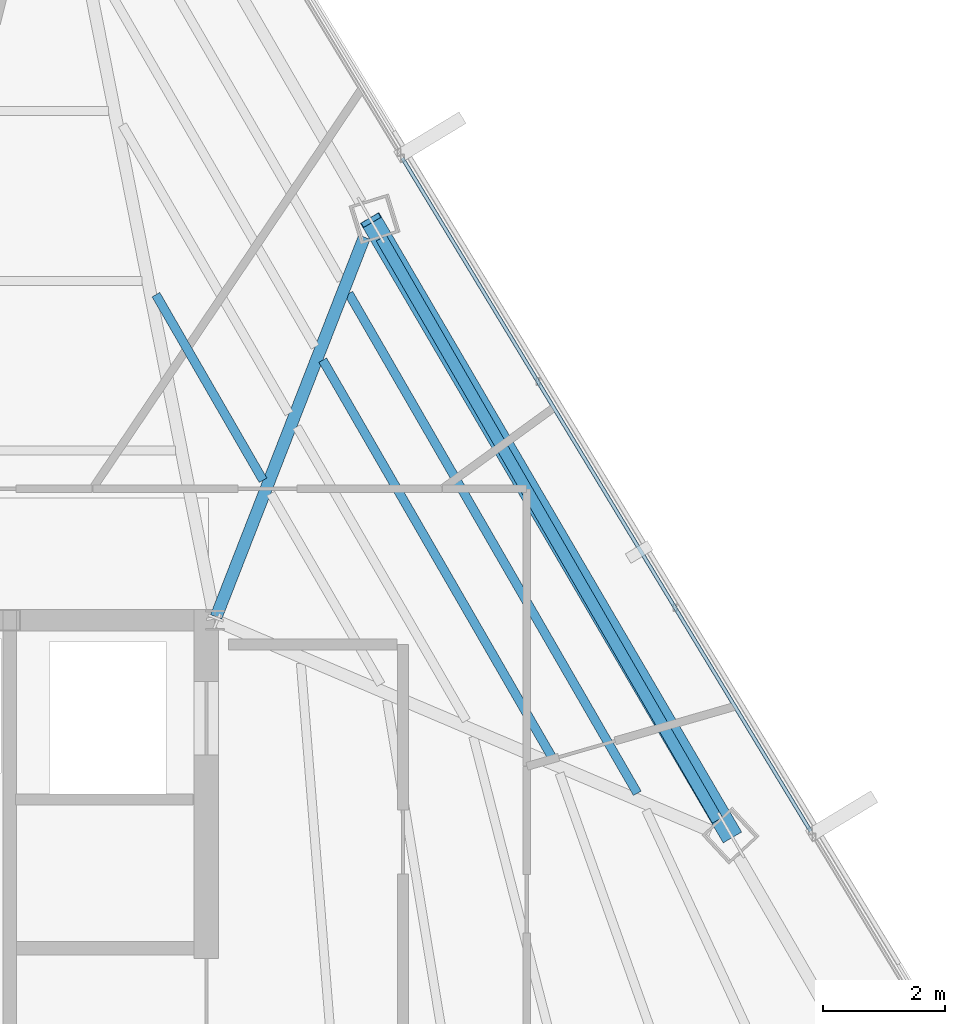
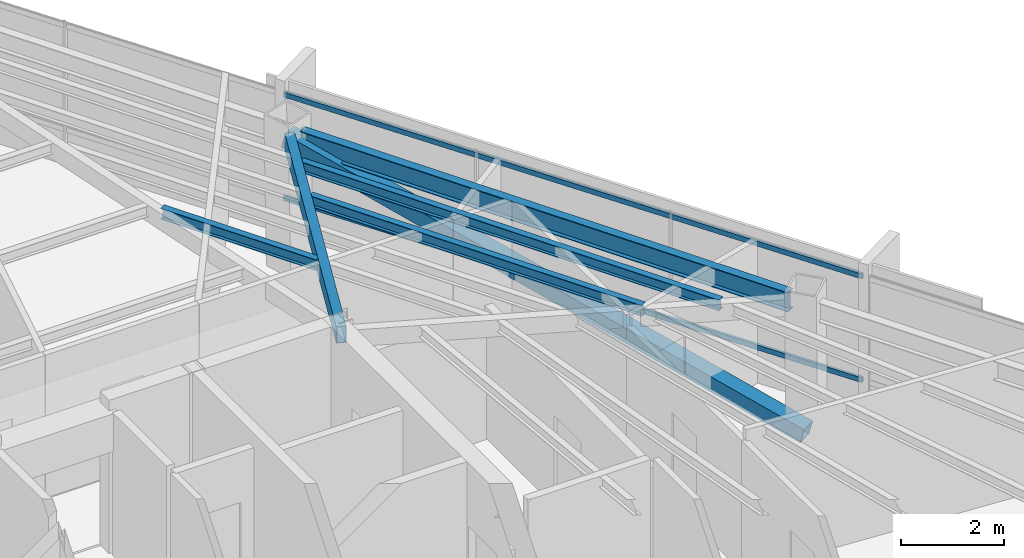
# One storey, part 29 of 46: 5 beams, 3 members, 1 element without a shape of its own.
"""IFC4 building model written with IfcOpenShell, lengths in metres."""

import ifcopenshell
import ifcopenshell.guid

model = None  # the IFC model being written
_history = None  # IfcOwnerHistory: only IFC2X3 demands one
_inside = {}  # id of a spatial element -> (the spatial element, [elements in it])
_under = {}  # id of a project, library or spatial element -> (it, [spatial elements below it])
_declared = {}  # id of a project -> (the project, [libraries it declares])
_typed = {}  # id of a type object -> (the type object, [elements of that type])
_made_of = {}  # id of a material, layer set ... -> (it, [elements and type objects made of it])


def new_model(schema):
    """Start an empty IFC model of exactly this schema.

    Asked for "IFC4X3", IfcOpenShell would pick the latest addendum, in which some entities
    have other attributes; the version numbers below select the first issue.
    IFC2X3 requires an IfcOwnerHistory on every rooted entity: one is made here for all.
    """
    global model, _history
    if schema == "IFC4X3":
        model = ifcopenshell.file(schema_version=(4, 3, 0, 0))
    else:
        model = ifcopenshell.file(schema=schema)
    _inside.clear()
    _under.clear()
    _declared.clear()
    _typed.clear()
    _made_of.clear()
    _history = None
    if model.schema == "IFC2X3":
        org = make("IfcOrganization", Name="unknown")
        user = make(
            "IfcPersonAndOrganization",
            ThePerson=make("IfcPerson", FamilyName="unknown"),
            TheOrganization=org,
        )
        app = make(
            "IfcApplication",
            ApplicationDeveloper=org,
            Version="unknown",
            ApplicationFullName="unknown",
            ApplicationIdentifier="unknown",
        )
        _history = make(
            "IfcOwnerHistory",
            OwningUser=user,
            OwningApplication=app,
            ChangeAction="ADDED",
            CreationDate=0,
        )
    return model


def make(cls, **values):
    """One entity of the class cls with the attributes given. An attribute that is None is left unset."""
    return model.create_entity(
        cls, **{name: value for name, value in values.items() if value is not None}
    )


def rooted(cls, **values):
    """An entity with a GlobalId (a new one), such as an element, a storey or a relation."""
    return make(cls, GlobalId=ifcopenshell.guid.new(), OwnerHistory=_history, **values)


def si_unit(unit_type, name, prefix=None):
    """IfcSIUnit, for example si_unit("LENGTHUNIT", "METRE", prefix="MILLI")."""
    return make("IfcSIUnit", UnitType=unit_type, Prefix=prefix, Name=name)


def assignment(units):
    """IfcUnitAssignment: the units of a project."""
    return None if units is None else make("IfcUnitAssignment", Units=units)


def point(xyz):
    """IfcCartesianPoint."""
    return None if xyz is None else make("IfcCartesianPoint", Coordinates=xyz)


def direction(xyz):
    """IfcDirection."""
    return None if xyz is None else make("IfcDirection", DirectionRatios=xyz)


def frame(location, z_axis=None, x_axis=None):
    """IfcAxis2Placement3D, a coordinate frame: its origin and axes. An axis left out is left unset."""
    return make(
        "IfcAxis2Placement3D",
        Location=point(location),
        Axis=direction(z_axis),
        RefDirection=direction(x_axis),
    )


def frame_2d(location, x_axis=None):
    """IfcAxis2Placement2D, a coordinate frame in the plane: its origin and x axis."""
    return make(
        "IfcAxis2Placement2D", Location=point(location), RefDirection=direction(x_axis)
    )


def origin():
    """The frame at (0, 0, 0) with its axes left unset."""
    return frame((0.0, 0.0, 0.0))


def origin_2d():
    """The frame at (0, 0) in the plane with its x axis left unset."""
    return frame_2d((0.0, 0.0))


def place(relative_to, where):
    """IfcLocalPlacement: puts the frame where relative to a parent placement (None: the world)."""
    return make(
        "IfcLocalPlacement", PlacementRelTo=relative_to, RelativePlacement=where
    )


def context(
    kind, dimensions, precision=None, world=None, true_north=None, identifier=None
):
    """IfcGeometricRepresentationContext, for example the 3D "Model" context."""
    return make(
        "IfcGeometricRepresentationContext",
        ContextIdentifier=identifier,
        ContextType=kind,
        CoordinateSpaceDimension=dimensions,
        Precision=precision,
        WorldCoordinateSystem=world,
        TrueNorth=true_north,
    )


def subcontext(parent, identifier, kind, view, scale=None):
    """IfcGeometricRepresentationSubContext, for example "Body" below "Model"."""
    return make(
        "IfcGeometricRepresentationSubContext",
        ContextIdentifier=identifier,
        ContextType=kind,
        ParentContext=parent,
        TargetScale=scale,
        TargetView=view,
    )


def project(units=None, contexts=None):
    """IfcProject with its units and contexts."""
    return rooted(
        "IfcProject",
        Name="project",
        RepresentationContexts=contexts,
        UnitsInContext=assignment(units),
    )


def spatial(cls, under=None, at=None, **own):
    """A site, building, storey or space (cls), placed at a placement, below another one or the project."""
    s = rooted(cls, ObjectPlacement=at, **own)
    if under is not None:
        _under.setdefault(under.id(), (under, []))[1].append(s)
    return s


def profile(cls, at=None, kind="AREA", **sizes):
    """A parametric profile (cls). Its sizes go by their IFC names, for example OverallWidth=200.0."""
    return make(cls, ProfileType=kind, Position=at, **sizes)


def hollow_rectangle(**sizes):
    """IfcRectangleHollowProfileDef."""
    return profile("IfcRectangleHollowProfileDef", **sizes)


def i_section(**sizes):
    """IfcIShapeProfileDef."""
    return profile("IfcIShapeProfileDef", **sizes)


def extrude(swept, where, along, depth):
    """IfcExtrudedAreaSolid: the profile swept, set in the frame where, extruded along a direction by depth."""
    return make(
        "IfcExtrudedAreaSolid",
        SweptArea=swept,
        Position=where,
        ExtrudedDirection=direction(along),
        Depth=depth,
    )


def shape(context_of_items, identifier, shape_type, items):
    """IfcShapeRepresentation: the items that make up one representation, for example the "Body"."""
    return make(
        "IfcShapeRepresentation",
        ContextOfItems=context_of_items,
        RepresentationIdentifier=identifier,
        RepresentationType=shape_type,
        Items=items,
    )


def source(mapping_origin, context_of_items, identifier, shape_type, items):
    """IfcRepresentationMap: a shape defined once, which mapped items show again and again."""
    return make(
        "IfcRepresentationMap",
        MappingOrigin=mapping_origin,
        MappedRepresentation=shape(context_of_items, identifier, shape_type, items),
    )


def transform(
    local_origin,
    x_axis=None,
    y_axis=None,
    z_axis=None,
    scale=None,
    scale2=None,
    scale3=None,
    uniform=True,
):
    """IfcCartesianTransformationOperator3D, or its non-uniform kind. x_axis, y_axis, z_axis: its Axis1, 2, 3."""
    if uniform:
        return make(
            "IfcCartesianTransformationOperator3D",
            Axis1=direction(x_axis),
            Axis2=direction(y_axis),
            LocalOrigin=point(local_origin),
            Scale=scale,
            Axis3=direction(z_axis),
        )
    return make(
        "IfcCartesianTransformationOperator3DnonUniform",
        Axis1=direction(x_axis),
        Axis2=direction(y_axis),
        LocalOrigin=point(local_origin),
        Scale=scale,
        Axis3=direction(z_axis),
        Scale2=scale2,
        Scale3=scale3,
    )


def mapped(mapping_source, mapping_target):
    """IfcMappedItem: shows the shape of a source again, moved by a transform."""
    return make(
        "IfcMappedItem", MappingSource=mapping_source, MappingTarget=mapping_target
    )


def material(Name=None, Category=None):
    """IfcMaterial."""
    return make("IfcMaterial", Name=Name, Category=Category)


def material_profile(
    of_material, cross_section, Name=None, Category=None, Priority=None
):
    """IfcMaterialProfile: a cross section and its material."""
    return make(
        "IfcMaterialProfile",
        Name=Name,
        Material=of_material,
        Profile=cross_section,
        Priority=Priority,
        Category=Category,
    )


def profile_set(profiles, Name=None, composite=None):
    """IfcMaterialProfileSet."""
    return make(
        "IfcMaterialProfileSet",
        Name=Name,
        MaterialProfiles=profiles,
        CompositeProfile=composite,
    )


def made_of(thing, what):
    """Note that an element or type object is made of a material, layer set ...; save() writes the relation."""
    if what is not None:
        _made_of.setdefault(what.id(), (what, []))[1].append(thing)
    return thing


def type_object(cls, material=None, **own):
    """A type object (cls), such as IfcWallType, which elements share."""
    return made_of(rooted(cls, **own), material)


def type_shapes(of_type, sources):
    """Give a type object the sources (RepresentationMaps) that its elements show as mapped items."""
    of_type.RepresentationMaps = sources


def element(
    cls,
    number,
    at=None,
    inside=None,
    cuts=None,
    type_object=None,
    material=None,
    context=None,
    identifier="Body",
    shape_type=None,
    held_by="IfcProductDefinitionShape",
    body=None,
    shapes=None,
    **own,
):
    """One element of the class cls, such as IfcWall. Its Tag is "e" and its number.

    at: its placement. inside: the storey or other place that contains it. cuts: it is an
    opening in that element (IfcRelVoidsElement). A single representation is given by context,
    identifier, shape_type and body (its items); several are given by shapes. held_by: the class
    of the entity that holds the representations. save() writes the other relations.
    """
    e = rooted(cls, Tag="e%d" % number, ObjectPlacement=at, **own)
    if body is not None:
        shapes = [shape(context, identifier, shape_type, body)]
    if shapes is not None:
        e.Representation = make(held_by, Representations=shapes)
    if inside is not None:
        _inside.setdefault(inside.id(), (inside, []))[1].append(e)
    if cuts is not None:
        rooted(
            "IfcRelVoidsElement", RelatingBuildingElement=cuts, RelatedOpeningElement=e
        )
    if type_object is not None:
        _typed.setdefault(type_object.id(), (type_object, []))[1].append(e)
    return made_of(e, material)


def aggregate(whole, parts):
    """IfcRelAggregates: a whole, such as a stair, and the parts it consists of."""
    return rooted("IfcRelAggregates", RelatingObject=whole, RelatedObjects=parts)


def save(model, path):
    """Write the relations noted so far, then the file.

    IfcRelAggregates (storeys below a building ...), IfcRelContainedInSpatialStructure (elements
    in a storey), IfcRelDefinesByType, IfcRelAssociatesMaterial and IfcRelDeclares: one each for
    every whole, place, type object, material and project.
    """
    for whole, parts in _under.values():
        aggregate(whole, parts)
    for where, things in _inside.values():
        rooted(
            "IfcRelContainedInSpatialStructure",
            RelatedElements=things,
            RelatingStructure=where,
        )
    for kind, things in _typed.values():
        rooted("IfcRelDefinesByType", RelatedObjects=things, RelatingType=kind)
    for what, things in _made_of.values():
        rooted("IfcRelAssociatesMaterial", RelatedObjects=things, RelatingMaterial=what)
    for by, libraries in _declared.values():
        rooted("IfcRelDeclares", RelatingContext=by, RelatedDefinitions=libraries)
    model.write(path)


model = new_model("IFC4")

# Units and contexts
model_context = context("Model", 3, precision=1e-05, world=origin(), true_north=direction((0.0, 1.0)))
body_context = subcontext(model_context, "Body", "Model", "MODEL_VIEW")
ifc_project = project(units=[si_unit("LENGTHUNIT", "METRE"), si_unit("AREAUNIT", "SQUARE_METRE"), si_unit("VOLUMEUNIT", "CUBIC_METRE"), si_unit("PLANEANGLEUNIT", "RADIAN"), si_unit("MASSUNIT", "GRAM", prefix="KILO")], contexts=[model_context])

# Site, building, storey
site_placement = place(None, origin())
site = spatial("IfcSite", under=ifc_project, at=site_placement, CompositionType="ELEMENT")
building_placement = place(site_placement, origin())
building = spatial("IfcBuilding", under=site, at=building_placement, Name="Caelisora Broadcast Tower", CompositionType="ELEMENT")
storey_placement = place(building_placement, frame((0.0, 0.0, 237.14990234375)))
storey = spatial("IfcBuildingStorey", under=building, at=storey_placement, Name="L62", CompositionType="ELEMENT", Elevation=237.14990234375)

# Beams
ifc_material_1 = material(Name="Steel Grade 350 (AS/NZS 3679.1)", Category="steel")
ifc_material_profile_1 = material_profile(ifc_material_1, i_section(OverallWidth=0.19091796875, OverallDepth=0.46044921875, WebThickness=0.010009765625, FlangeThickness=0.01611328125, at=origin_2d()), Name="Steel Grade 350 (AS/NZS 3679.1)")
ifc_profile_set_1 = profile_set([ifc_material_profile_1], Name="Steel Grade 350 (AS/NZS 3679.1)")
beam_type_1 = type_object("IfcBeamType", Name="PG06", PredefinedType="BEAM", material=ifc_profile_set_1)
shared_shape_1 = source(origin(), body_context, "Body", "SweptSolid", [
    extrude(i_section(OverallWidth=0.19091796875, OverallDepth=0.46044921875, WebThickness=0.010009765625, FlangeThickness=0.01611328125, at=origin_2d()), origin(), (0.0, 0.0, 1.0), 10.993408203125),
])
type_shapes(beam_type_1, [shared_shape_1])
beam_1_placement = place(storey_placement, frame((53.71875, 26.728271484375, 3.169921875), z_axis=(-0.499994152074, 0.86602878006, 0.0), x_axis=(-0.86602878006, -0.499994152074, 0.0)))
element("IfcBeam", 1, at=beam_1_placement, inside=storey, type_object=beam_type_1, Name="L62 beam PG06", PredefinedType="BEAM", context=body_context, shape_type="MappedRepresentation", body=[
    mapped(shared_shape_1, transform((0.0, 0.0, 0.0), scale=1.0)),
])
ifc_material_2 = material(Name="Steel Grade 350 (AS/NZS 1163 C350L0)", Category="steel")
ifc_material_profile_2 = material_profile(ifc_material_2, hollow_rectangle(XDim=0.199951171875, YDim=0.39990234375, WallThickness=0.012451171875, at=origin_2d()), Name="Steel Grade 350 (AS/NZS 1163 C350L0)")
ifc_profile_set_2 = profile_set([ifc_material_profile_2], Name="Steel Grade 350 (AS/NZS 1163 C350L0)")
beam_type_2 = type_object("IfcBeamType", Name="PG07", PredefinedType="BEAM", material=ifc_profile_set_2)
shared_shape_2 = source(origin(), body_context, "Body", "SweptSolid", [
    extrude(hollow_rectangle(XDim=0.199951171875, YDim=0.39990234375, WallThickness=0.012451171875, at=origin_2d()), origin(), (0.0, 0.0, 1.0), 6.6640625),
])
type_shapes(beam_type_2, [shared_shape_2])
beam_2_placement = place(storey_placement, frame((45.521728515625, 30.055908203125, 3.2001953125), z_axis=(0.363602194063, 0.931554316437, 0.0), x_axis=(-0.931554316437, 0.363602194063, 0.0)))
element("IfcBeam", 2, at=beam_2_placement, inside=storey, type_object=beam_type_2, Name="L62 beam PG07", PredefinedType="BEAM", context=body_context, shape_type="MappedRepresentation", body=[
    mapped(shared_shape_2, transform((0.0, 0.0, 0.0), scale=1.0)),
])
ifc_material_profile_3 = material_profile(ifc_material_1, i_section(OverallWidth=0.14599609375, OverallDepth=0.256103515625, WebThickness=0.00634765625, FlangeThickness=0.010986328125, at=origin_2d()), Name="Steel Grade 350 (AS/NZS 3679.1)")
ifc_profile_set_3 = profile_set([ifc_material_profile_3], Name="Steel Grade 350 (AS/NZS 3679.1)")
beam_type_3 = type_object("IfcBeamType", Name="SB04", PredefinedType="JOIST", material=ifc_profile_set_3)
shared_shape_3 = source(origin(), body_context, "Body", "SweptSolid", [
    extrude(i_section(OverallWidth=0.14599609375, OverallDepth=0.256103515625, WebThickness=0.00634765625, FlangeThickness=0.010986328125, at=origin_2d()), origin(), (0.0, 0.0, 1.0), 3.50439453125),
])
beam_3_placement = place(storey_placement, frame((46.28857421875, 32.288818359375, 3.27197265625), z_axis=(-0.499997847491, 0.866026646532, 0.0), x_axis=(-0.866026646532, -0.499997847491, 0.0)))
element("IfcBeam", 3, at=beam_3_placement, inside=storey, type_object=beam_type_3, Name="L62 beam SB04", PredefinedType="JOIST", context=body_context, shape_type="MappedRepresentation", body=[
    mapped(shared_shape_3, transform((0.0, 0.0, 0.0), scale=1.0)),
])
shared_shape_4 = source(origin(), body_context, "Body", "SweptSolid", [
    extrude(i_section(OverallWidth=0.14599609375, OverallDepth=0.256103515625, WebThickness=0.00634765625, FlangeThickness=0.010986328125, at=origin_2d()), origin(), (0.0, 0.0, 1.0), 7.4912109375),
])
beam_4_placement = place(storey_placement, frame((51.01025390625, 27.76513671875, 3.27197265625), z_axis=(-0.500001742692, 0.866024397638, 0.0), x_axis=(-0.866024397638, -0.500001742692, 0.0)))
element("IfcBeam", 4, at=beam_4_placement, inside=storey, type_object=beam_type_3, Name="L62 beam SB04", PredefinedType="JOIST", context=body_context, shape_type="MappedRepresentation", body=[
    mapped(shared_shape_4, transform((0.0, 0.0, 0.0), scale=1.0)),
])
shared_shape_5 = source(origin(), body_context, "Body", "SweptSolid", [
    extrude(i_section(OverallWidth=0.14599609375, OverallDepth=0.256103515625, WebThickness=0.00634765625, FlangeThickness=0.010986328125, at=origin_2d()), origin(), (0.0, 0.0, 1.0), 9.435791015625),
])
type_shapes(beam_type_3, [shared_shape_3, shared_shape_4, shared_shape_5])
beam_5_placement = place(storey_placement, frame((52.408203125, 27.171142578125, 3.27197265625), z_axis=(-0.500009879981, 0.8660196995, 0.0), x_axis=(-0.8660196995, -0.500009879981, 0.0)))
element("IfcBeam", 5, at=beam_5_placement, inside=storey, type_object=beam_type_3, Name="L62 beam SB04", PredefinedType="JOIST", context=body_context, shape_type="MappedRepresentation", body=[
    mapped(shared_shape_5, transform((0.0, 0.0, 0.0), scale=1.0)),
])

# Member
ifc_material_3 = material(Name="Steel Grade 450 (AS/NZS 1163 C450L0)", Category="steel")
ifc_material_profile_4 = material_profile(ifc_material_3, hollow_rectangle(XDim=0.35009765625, YDim=0.35009765625, WallThickness=0.012451171875, at=origin_2d()), Name="Steel Grade 450 (AS/NZS 1163 C450L0)")
ifc_profile_set_4 = profile_set([ifc_material_profile_4], Name="Steel Grade 450 (AS/NZS 1163 C450L0)")
member_type_1 = type_object("IfcMemberType", Name="BR05", PredefinedType="BRACE", material=ifc_profile_set_4)
shared_shape_6 = source(origin(), body_context, "Body", "SweptSolid", [
    extrude(hollow_rectangle(XDim=0.35009765625, YDim=0.35009765625, WallThickness=0.012451171875, at=origin_2d()), origin(), (0.0, 0.0, 1.0), 12.032958984375),
])
type_shapes(member_type_1, [shared_shape_6])
member_1_placement = place(storey_placement, frame((53.942138671875, 26.486083984375, 0.10009765625), z_axis=(-0.489401024764, 0.835660213381, 0.249316354724), x_axis=(-0.862909073603, -0.505359209566, 0.0)))
element("IfcMember", 6, at=member_1_placement, inside=storey, type_object=member_type_1, Name="L62 perimeter brace BR05", PredefinedType="BRACE", context=body_context, shape_type="MappedRepresentation", body=[
    mapped(shared_shape_6, transform((0.0, 0.0, 0.0), scale=1.0)),
])

# Curtain wall, members
ifc_material_4 = material(Name="Unitised Aluminium Insulated Shadow-Box Spandrel Curtain Wall", Category="aluminium")
curtain_wall_type = type_object("IfcCurtainWallType", Name="CW-SP3", PredefinedType="NOTDEFINED", material=ifc_material_4)
curtain_wall_placement = place(storey_placement, origin())
curtain_wall = element("IfcCurtainWall", 7, at=curtain_wall_placement, inside=storey, type_object=curtain_wall_type, Name="L62 curtain wall CW-SP3", PredefinedType="NOTDEFINED")
ifc_material_5 = material(Name="Aluminium 6063-T6 Anodised Terracotta Bronze", Category="aluminium")
ifc_material_profile_5 = material_profile(ifc_material_5, hollow_rectangle(XDim=0.06005859375, YDim=0.1201171875, WallThickness=0.0029296875, at=origin_2d()), Name="Aluminium 6063-T6 Anodised Terracotta Bronze")
ifc_profile_set_5 = profile_set([ifc_material_profile_5], Name="Aluminium 6063-T6 Anodised Terracotta Bronze")
member_type_2 = type_object("IfcMemberType", Name="CWT-03", PredefinedType="USERDEFINED", material=ifc_profile_set_5)
shared_shape_7 = source(origin(), body_context, "Body", "SweptSolid", [
    extrude(hollow_rectangle(XDim=0.06005859375, YDim=0.1201171875, WallThickness=0.0029296875, at=origin_2d()), origin(), (0.0, 0.0, 1.0), 12.87353515625),
])
type_shapes(member_type_2, [shared_shape_7])
member_2_placement = place(storey_placement, frame((48.56640625, 37.556884765625, 0.85009765625), z_axis=(0.518581187064, -0.855028392758, 0.0), x_axis=(0.855028392758, 0.518581187064, 0.0)))
member_2 = element("IfcMember", 8, at=member_2_placement, type_object=member_type_2, Name="L62-CW-B02 transom #1", ObjectType="TRANSOM", PredefinedType="USERDEFINED", context=body_context, shape_type="MappedRepresentation", body=[
    mapped(shared_shape_7, transform((0.0, 0.0, 0.0), scale=1.0)),
])
member_3_placement = place(storey_placement, frame((48.56640625, 37.556884765625, 3.320068359375), z_axis=(0.518581187064, -0.855028392758, 0.0), x_axis=(0.855028392758, 0.518581187064, 0.0)))
member_3 = element("IfcMember", 9, at=member_3_placement, type_object=member_type_2, Name="L62-CW-B02 transom #2", ObjectType="TRANSOM", PredefinedType="USERDEFINED", context=body_context, shape_type="MappedRepresentation", body=[
    mapped(shared_shape_7, transform((0.0, 0.0, 0.0), scale=1.0)),
])
aggregate(curtain_wall, [member_2, member_3])

save(model, "model.ifc")
